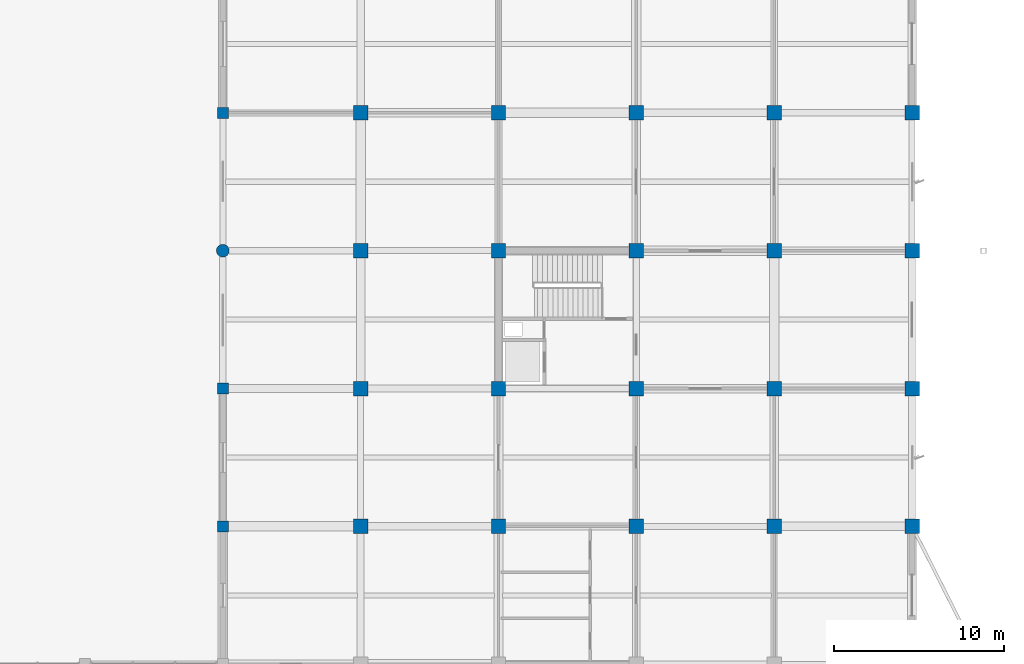
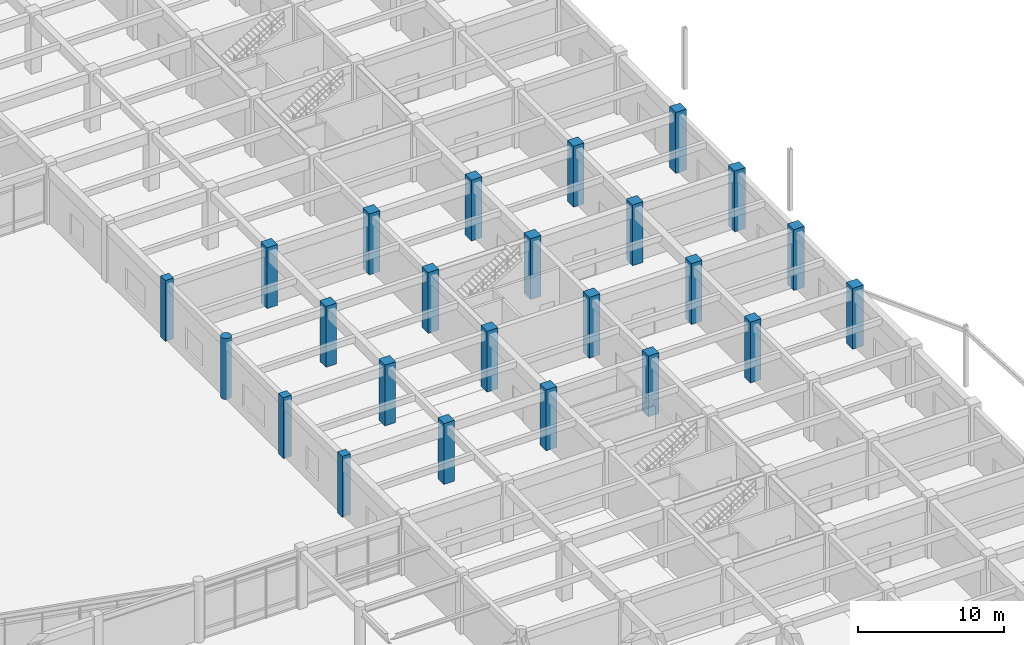
# One storey, part 14 of 99: 24 columns.
"""IFC4 building model written with IfcOpenShell, lengths in metres."""

from ifc_helpers import new_model, si_unit, direction, frame, origin, origin_2d, place, context, subcontext, project, spatial, rectangle, circle, extrude, material, material_profile, profile_set, type_object, element, save


model = new_model("IFC4")

# Units and contexts
model_context = context("Model", 3, precision=1e-05, world=origin(), true_north=direction((0.0, 1.0)))
body_context = subcontext(model_context, "Body", "Model", "MODEL_VIEW")
ifc_project = project(units=[si_unit("LENGTHUNIT", "METRE"), si_unit("AREAUNIT", "SQUARE_METRE"), si_unit("VOLUMEUNIT", "CUBIC_METRE"), si_unit("PLANEANGLEUNIT", "RADIAN"), si_unit("MASSUNIT", "GRAM", prefix="KILO")], contexts=[model_context])

# Site, building, storey
site_placement = place(None, origin())
site = spatial("IfcSite", under=ifc_project, at=site_placement, CompositionType="ELEMENT")
building_placement = place(site_placement, origin())
building = spatial("IfcBuilding", under=site, at=building_placement, Name="Vaudrelin Polytechnic", CompositionType="ELEMENT")
storey_placement = place(building_placement, origin())
storey = spatial("IfcBuildingStorey", under=building, at=storey_placement, Name="L00", CompositionType="ELEMENT", Elevation=0.0)

# Columns
ifc_material_1 = material(Name="Concrete 40 MPa", Category="concrete")
ifc_material_profile_1 = material_profile(ifc_material_1, rectangle(XDim=0.64990234375, YDim=0.64990234375, at=origin_2d()), Name="RC650x650")
ifc_profile_set_1 = profile_set([ifc_material_profile_1], Name="Concrete 40 MPa")
column_type_1 = type_object("IfcColumnType", Name="COL-C-RC650", PredefinedType="COLUMN", material=ifc_profile_set_1)
for number, where, z_axis, x_axis, name in (
    (1, (129.60009765625, 56.699951171875, 0.0), (0.0, 0.0, 1.0), (1.0, 0.0, 0.0), "Column L00 17-8"),
    (2, (129.60009765625, 64.800048828125, 0.0), (0.0, 0.0, 1.0), (1.0, 0.0, 0.0), "Column L00 17-9"),
    (3, (129.60009765625, 81.0, 0.0), (0.0, 0.0, 1.0), (1.0, 0.0, 0.0), "Column L00 17-11"),
):
    element("IfcColumn", number, at=place(storey_placement, frame(where, z_axis=z_axis, x_axis=x_axis)), inside=storey, type_object=column_type_1, Name=name, PredefinedType="COLUMN", context=body_context, shape_type="SweptSolid", body=[
        extrude(rectangle(XDim=0.64990234375, YDim=0.64990234375, at=origin_2d()), origin(), (0.0, 0.0, 1.0), 5.10009765625),
    ])
ifc_material_2 = material(Name="Concrete 50 MPa", Category="concrete")
ifc_material_profile_2 = material_profile(ifc_material_2, rectangle(XDim=0.85009765625, YDim=0.85009765625, at=origin_2d()), Name="RC850x850")
ifc_profile_set_2 = profile_set([ifc_material_profile_2], Name="Concrete 50 MPa")
column_type_2 = type_object("IfcColumnType", Name="COL-C-RC850", PredefinedType="COLUMN", material=ifc_profile_set_2)
for number, where, z_axis, x_axis, name in (
    (4, (137.699951171875, 56.699951171875, 0.0), (0.0, 0.0, 1.0), (1.0, 0.0, 0.0), "Column L00 18-8"),
    (5, (137.699951171875, 64.800048828125, 0.0), (0.0, 0.0, 1.0), (1.0, 0.0, 0.0), "Column L00 18-9"),
    (6, (137.699951171875, 72.89990234375, 0.0), (0.0, 0.0, 1.0), (1.0, 0.0, 0.0), "Column L00 18-10"),
    (7, (137.699951171875, 81.0, 0.0), (0.0, 0.0, 1.0), (1.0, 0.0, 0.0), "Column L00 18-11"),
    (8, (145.800048828125, 56.699951171875, 0.0), (0.0, 0.0, 1.0), (1.0, 0.0, 0.0), "Column L00 19-8"),
    (9, (145.800048828125, 64.800048828125, 0.0), (0.0, 0.0, 1.0), (1.0, 0.0, 0.0), "Column L00 19-9"),
    (10, (145.800048828125, 72.89990234375, 0.0), (0.0, 0.0, 1.0), (1.0, 0.0, 0.0), "Column L00 19-10"),
    (11, (145.800048828125, 81.0, 0.0), (0.0, 0.0, 1.0), (1.0, 0.0, 0.0), "Column L00 19-11"),
    (12, (153.89990234375, 56.699951171875, 0.0), (0.0, 0.0, 1.0), (1.0, 0.0, 0.0), "Column L00 20-8"),
    (13, (153.89990234375, 64.800048828125, 0.0), (0.0, 0.0, 1.0), (1.0, 0.0, 0.0), "Column L00 20-9"),
    (14, (153.89990234375, 72.89990234375, 0.0), (0.0, 0.0, 1.0), (1.0, 0.0, 0.0), "Column L00 20-10"),
    (15, (153.89990234375, 81.0, 0.0), (0.0, 0.0, 1.0), (1.0, 0.0, 0.0), "Column L00 20-11"),
    (16, (162.0, 56.699951171875, 0.0), (0.0, 0.0, 1.0), (1.0, 0.0, 0.0), "Column L00 21-8"),
    (17, (162.0, 64.800048828125, 0.0), (0.0, 0.0, 1.0), (1.0, 0.0, 0.0), "Column L00 21-9"),
    (18, (162.0, 72.89990234375, 0.0), (0.0, 0.0, 1.0), (1.0, 0.0, 0.0), "Column L00 21-10"),
    (19, (162.0, 81.0, 0.0), (0.0, 0.0, 1.0), (1.0, 0.0, 0.0), "Column L00 21-11"),
    (20, (170.10009765625, 56.699951171875, 0.0), (0.0, 0.0, 1.0), (1.0, 0.0, 0.0), "Column L00 22-8"),
    (21, (170.10009765625, 64.800048828125, 0.0), (0.0, 0.0, 1.0), (1.0, 0.0, 0.0), "Column L00 22-9"),
    (22, (170.10009765625, 72.89990234375, 0.0), (0.0, 0.0, 1.0), (1.0, 0.0, 0.0), "Column L00 22-10"),
    (23, (170.10009765625, 81.0, 0.0), (0.0, 0.0, 1.0), (1.0, 0.0, 0.0), "Column L00 22-11"),
):
    element("IfcColumn", number, at=place(storey_placement, frame(where, z_axis=z_axis, x_axis=x_axis)), inside=storey, type_object=column_type_2, Name=name, PredefinedType="COLUMN", context=body_context, shape_type="SweptSolid", body=[
        extrude(rectangle(XDim=0.85009765625, YDim=0.85009765625, at=origin_2d()), origin(), (0.0, 0.0, 1.0), 5.10009765625),
    ])
ifc_material_profile_3 = material_profile(ifc_material_2, circle(Radius=0.375, at=origin_2d()), Name="RCCOL750")
ifc_profile_set_3 = profile_set([ifc_material_profile_3], Name="Concrete 50 MPa")
column_type_3 = type_object("IfcColumnType", Name="COL-C-RCD750", PredefinedType="COLUMN", material=ifc_profile_set_3)
column_placement = place(storey_placement, frame((129.60009765625, 72.89990234375, 0.0), z_axis=(0.0, 0.0, 1.0), x_axis=(1.0, 0.0, 0.0)))
element("IfcColumn", 24, at=column_placement, inside=storey, type_object=column_type_3, Name="Column L00 17-10", PredefinedType="COLUMN", context=body_context, shape_type="SweptSolid", body=[
    extrude(circle(Radius=0.375, at=origin_2d()), origin(), (0.0, 0.0, 1.0), 5.10009765625),
])

save(model, "model.ifc")
